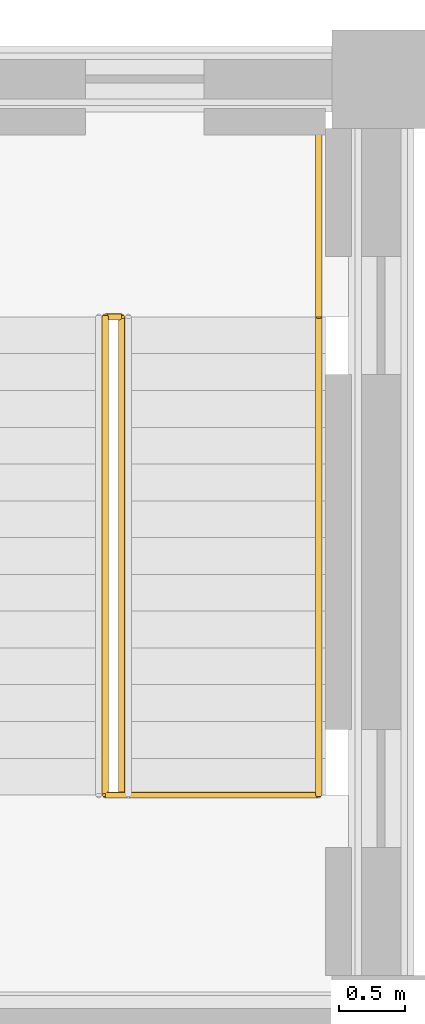
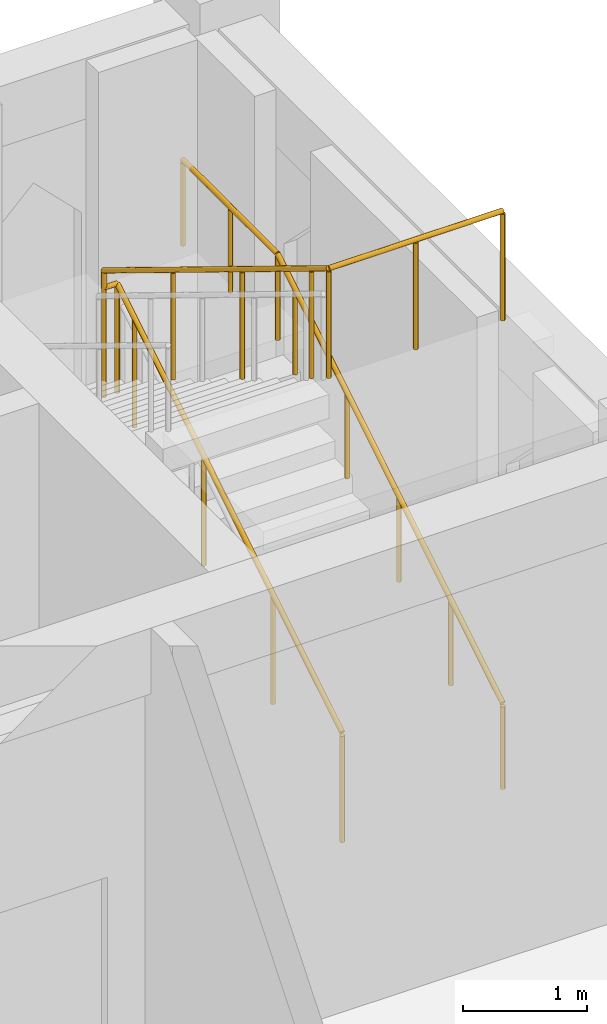
# One storey, part 39 of 39: 2 railings.
"""IFC4 building model written with IfcOpenShell, lengths in metres."""

from ifc_helpers import new_model, si_unit, direction, frame, origin, origin_2d, place, context, subcontext, project, spatial, circle, extrude, material, type_object, element, save


model = new_model("IFC4")

# Units and contexts
model_context = context("Model", 3, precision=1e-05, world=origin(), true_north=direction((0.0, 1.0)))
body_context = subcontext(model_context, "Body", "Model", "MODEL_VIEW")
ifc_project = project(units=[si_unit("LENGTHUNIT", "METRE"), si_unit("AREAUNIT", "SQUARE_METRE"), si_unit("VOLUMEUNIT", "CUBIC_METRE"), si_unit("PLANEANGLEUNIT", "RADIAN"), si_unit("MASSUNIT", "GRAM", prefix="KILO")], contexts=[model_context])

# Site, building, storey
site_placement = place(None, origin())
site = spatial("IfcSite", under=ifc_project, at=site_placement, CompositionType="ELEMENT")
building_placement = place(site_placement, origin())
building = spatial("IfcBuilding", under=site, at=building_placement, Name="Silangan Lancet Faculty of Sciences", CompositionType="ELEMENT")
storey_placement = place(building_placement, frame((0.0, 0.0, 26.39990234375)))
storey = spatial("IfcBuildingStorey", under=building, at=storey_placement, Name="L05", CompositionType="ELEMENT", Elevation=26.39990234375)

# Railings
ifc_material_1 = material(Name="Steel balustrade", Category="steel")
railing_type_1 = type_object("IfcRailingType", Name="STAIR GUARD 1100", PredefinedType="GUARDRAIL", material=ifc_material_1)
railing_1_placement = place(storey_placement, frame((84.425048828125, 52.14990234375, 0.17138671875)))
element("IfcRailing", 1, at=railing_1_placement, inside=storey, type_object=railing_type_1, Name="GUARD-EB-B-L05", PredefinedType="GUARDRAIL", context=body_context, shape_type="SweptSolid", body=[
    extrude(circle(Radius=0.02392578125, at=origin_2d()), frame((0.0, 0.0, 1.076171875), z_axis=(0.0, 0.852849614702, 0.52215661894), x_axis=(-1.0, 0.0, 0.0)), (0.0, 0.0, 1.0), 1.3134765625),
    extrude(circle(Radius=0.02392578125, at=origin_2d()), frame((0.0, 1.1201171875, 1.76171875), z_axis=(0.0, 0.852798921012, 0.522239409008), x_axis=(-1.0, 0.0, 0.0)), (0.0, 0.0, 1.0), 1.313232421875),
    extrude(circle(Radius=0.02392578125, at=origin_2d()), frame((0.0, 2.239990234375, 2.44775390625), z_axis=(0.0, 0.852849614702, 0.52215661894), x_axis=(-1.0, 0.0, 0.0)), (0.0, 0.0, 1.0), 1.3134765625),
    extrude(circle(Radius=0.02392578125, at=origin_2d()), frame((0.0, 3.360107421875, 3.13330078125), z_axis=(0.0, 0.852932391421, 0.522021393877), x_axis=(-1.0, 0.0, 0.0)), (0.0, 0.0, 1.0), 0.328369140625),
    extrude(circle(Radius=0.02392578125, at=origin_2d()), frame((0.0, 3.64013671875, 3.3046875), z_axis=(-1.0, 0.0, 0.0), x_axis=(0.0, -1.0, 0.0)), (0.0, 0.0, 1.0), 0.125),
    extrude(circle(Radius=0.02392578125, at=origin_2d()), frame((-0.125, 3.64013671875, 3.3046875), z_axis=(0.0, 0.0, 1.0), x_axis=(1.0, 0.0, 0.0)), (0.0, 0.0, 1.0), 0.17138671875),
    extrude(circle(Radius=0.02392578125, at=origin_2d()), frame((-0.125, 3.64013671875, 3.47607421875), z_axis=(0.0, -0.852932391421, 0.522021393877), x_axis=(1.0, 0.0, 0.0)), (0.0, 0.0, 1.0), 1.313232421875),
    extrude(circle(Radius=0.02392578125, at=origin_2d()), frame((-0.125, 2.52001953125, 4.16162109375), z_axis=(0.0, -0.852716117601, 0.522374600056), x_axis=(1.0, 0.0, 0.0)), (0.0, 0.0, 1.0), 1.313232421875),
    extrude(circle(Radius=0.02392578125, at=origin_2d()), frame((-0.125, 1.400146484375, 4.84765625), z_axis=(0.0, -0.852932391421, 0.522021393877), x_axis=(1.0, 0.0, 0.0)), (0.0, 0.0, 1.0), 1.313232421875),
    extrude(circle(Radius=0.02392578125, at=origin_2d()), frame((-0.125, 0.280029296875, 5.533203125), z_axis=(0.0, -0.852932391421, 0.522021393877), x_axis=(1.0, 0.0, 0.0)), (0.0, 0.0, 1.0), 0.328369140625),
    extrude(circle(Radius=0.02392578125, at=origin_2d()), frame((-0.125, 0.0, 5.70458984375), z_axis=(1.0, 0.0, 0.0), x_axis=(0.0, 1.0, 0.0)), (0.0, 0.0, 1.0), 1.625),
    extrude(circle(Radius=0.02099609375, at=origin_2d()), origin(), (0.0, 0.0, 1.0), 1.052001953125),
    extrude(circle(Radius=0.02099609375, at=origin_2d()), frame((0.0, 1.1201171875, 0.685791015625)), (0.0, 0.0, 1.0), 1.052001953125),
    extrude(circle(Radius=0.02099609375, at=origin_2d()), frame((0.0, 2.239990234375, 1.37158203125)), (0.0, 0.0, 1.0), 1.052001953125),
    extrude(circle(Radius=0.02099609375, at=origin_2d()), frame((0.0, 3.360107421875, 2.057373046875)), (0.0, 0.0, 1.0), 1.052001953125),
    extrude(circle(Radius=0.02099609375, at=origin_2d()), frame((0.0, 3.64013671875, 2.228759765625)), (0.0, 0.0, 1.0), 1.052001953125),
    extrude(circle(Radius=0.02099609375, at=origin_2d()), frame((-0.125, 3.64013671875, 2.228759765625)), (0.0, 0.0, 1.0), 1.052001953125),
    extrude(circle(Radius=0.02099609375, at=origin_2d()), frame((-0.125, 3.64013671875, 2.400146484375)), (0.0, 0.0, 1.0), 1.052001953125),
    extrude(circle(Radius=0.02099609375, at=origin_2d()), frame((-0.125, 2.52001953125, 3.085693359375)), (0.0, 0.0, 1.0), 1.052001953125),
    extrude(circle(Radius=0.02099609375, at=origin_2d()), frame((-0.125, 1.400146484375, 3.771728515625)), (0.0, 0.0, 1.0), 1.052001953125),
    extrude(circle(Radius=0.02099609375, at=origin_2d()), frame((-0.125, 0.280029296875, 4.457275390625)), (0.0, 0.0, 1.0), 1.052001953125),
    extrude(circle(Radius=0.02099609375, at=origin_2d()), frame((-0.125, 0.0, 4.628662109375)), (0.0, 0.0, 1.0), 1.052001953125),
    extrude(circle(Radius=0.02099609375, at=origin_2d()), frame((0.6875, 0.0, 4.628662109375)), (0.0, 0.0, 1.0), 1.052001953125),
    extrude(circle(Radius=0.02099609375, at=origin_2d()), frame((1.5, 0.0, 4.628662109375)), (0.0, 0.0, 1.0), 1.052001953125),
])
ifc_material_2 = material(Name="Stainless steel", Category="steel")
railing_type_2 = type_object("IfcRailingType", Name="STAIR HANDRAIL 865", PredefinedType="HANDRAIL", material=ifc_material_2)
railing_2_placement = place(storey_placement, frame((85.925048828125, 52.14990234375, 0.17138671875)))
element("IfcRailing", 2, at=railing_2_placement, inside=storey, type_object=railing_type_2, Name="HANDRAIL-EB-B-L05-O1", PredefinedType="HANDRAIL", context=body_context, shape_type="SweptSolid", body=[
    extrude(circle(Radius=0.02392578125, at=origin_2d()), frame((0.0, 0.0, 0.8408203125), z_axis=(0.0, 0.852822021269, 0.522201685212), x_axis=(-1.0, 0.0, 0.0)), (0.0, 0.0, 1.0), 0.985107421875),
    extrude(circle(Radius=0.02392578125, at=origin_2d()), frame((0.0, 0.840087890625, 1.35546875), z_axis=(0.0, 0.852822021269, 0.522201685212), x_axis=(-1.0, 0.0, 0.0)), (0.0, 0.0, 1.0), 0.985107421875),
    extrude(circle(Radius=0.02392578125, at=origin_2d()), frame((0.0, 1.68017578125, 1.86962890625), z_axis=(0.0, 0.85286482292, 0.522131778218), x_axis=(-1.0, 0.0, 0.0)), (0.0, 0.0, 1.0), 0.984619140625),
    extrude(circle(Radius=0.02392578125, at=origin_2d()), frame((0.0, 2.52001953125, 2.3837890625), z_axis=(0.0, 0.852822021269, 0.522201685212), x_axis=(-1.0, 0.0, 0.0)), (0.0, 0.0, 1.0), 0.985107421875),
    extrude(circle(Radius=0.02392578125, at=origin_2d()), frame((0.0, 3.360107421875, 2.8984375), z_axis=(0.0, 0.852932391421, 0.522021393877), x_axis=(-1.0, 0.0, 0.0)), (0.0, 0.0, 1.0), 0.328369140625),
    extrude(circle(Radius=0.02392578125, at=origin_2d()), frame((0.0, 3.64013671875, 3.06982421875), z_axis=(0.0, 1.0, 0.0), x_axis=(-1.0, 0.0, 0.0)), (0.0, 0.0, 1.0), 1.534912109375),
    extrude(circle(Radius=0.02099609375, at=origin_2d()), origin(), (0.0, 0.0, 1.0), 0.81689453125),
    extrude(circle(Radius=0.02099609375, at=origin_2d()), frame((0.0, 0.840087890625, 0.514404296875)), (0.0, 0.0, 1.0), 0.81689453125),
    extrude(circle(Radius=0.02099609375, at=origin_2d()), frame((0.0, 1.68017578125, 1.02880859375)), (0.0, 0.0, 1.0), 0.81689453125),
    extrude(circle(Radius=0.02099609375, at=origin_2d()), frame((0.0, 2.52001953125, 1.54296875)), (0.0, 0.0, 1.0), 0.81689453125),
    extrude(circle(Radius=0.02099609375, at=origin_2d()), frame((0.0, 3.360107421875, 2.057373046875)), (0.0, 0.0, 1.0), 0.81689453125),
    extrude(circle(Radius=0.02099609375, at=origin_2d()), frame((0.0, 3.64013671875, 2.228759765625)), (0.0, 0.0, 1.0), 0.81689453125),
    extrude(circle(Radius=0.02099609375, at=origin_2d()), frame((0.0, 4.40771484375, 2.228759765625)), (0.0, 0.0, 1.0), 0.81689453125),
    extrude(circle(Radius=0.02099609375, at=origin_2d()), frame((0.0, 5.175048828125, 2.228759765625)), (0.0, 0.0, 1.0), 0.81689453125),
])

save(model, "model.ifc")
